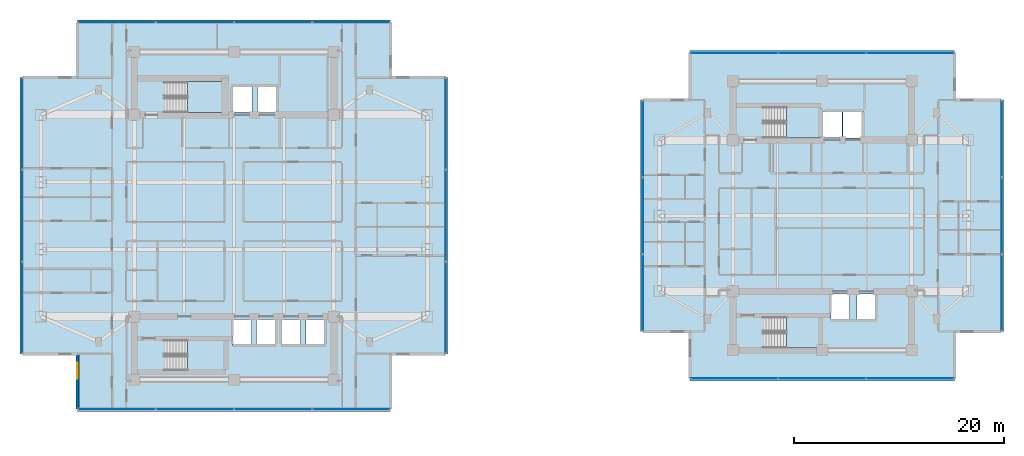
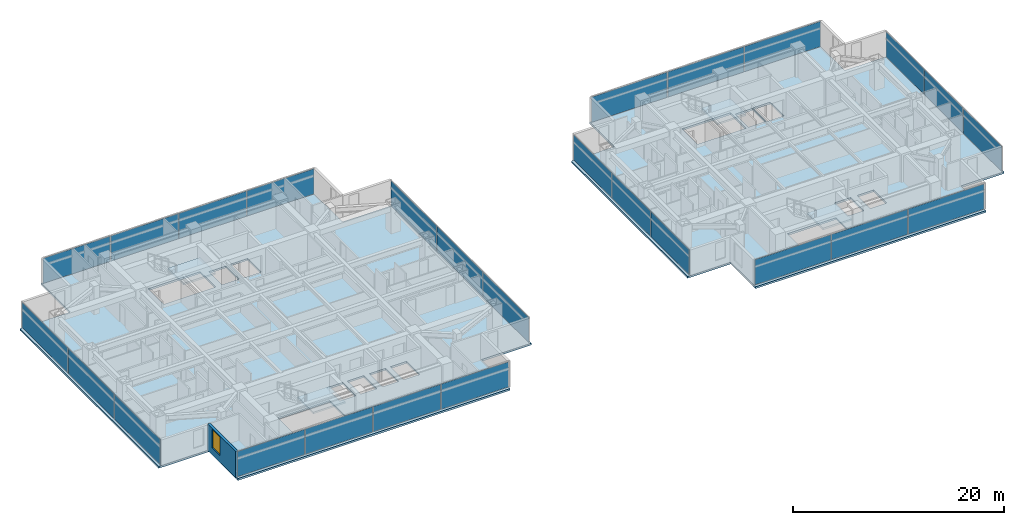
# One storey, part 13 of 26: 26 plates, 6 slabs, 1 wall, 1 window, 1 opening, 12 elements without a shape of their own.
"""IFC4 building model written with IfcOpenShell, lengths in metres."""

from ifc_helpers import new_model, si_unit, direction, frame, frame_2d, origin, origin_2d, place, context, subcontext, project, spatial, polyline, rectangle, outline, extrude, material, layer, layer_set, type_object, element, fill, aggregate, save


model = new_model("IFC4")

# Units and contexts
model_context = context("Model", 3, precision=1e-05, world=origin(), true_north=direction((0.0, 1.0)))
body_context = subcontext(model_context, "Body", "Model", "MODEL_VIEW")
ifc_project = project(units=[si_unit("LENGTHUNIT", "METRE"), si_unit("AREAUNIT", "SQUARE_METRE"), si_unit("VOLUMEUNIT", "CUBIC_METRE"), si_unit("PLANEANGLEUNIT", "RADIAN"), si_unit("MASSUNIT", "GRAM", prefix="KILO")], contexts=[model_context])

# Site, building, storey
site_placement = place(None, origin())
site = spatial("IfcSite", under=ifc_project, at=site_placement, CompositionType="ELEMENT")
building_placement = place(site_placement, origin())
building = spatial("IfcBuilding", under=site, at=building_placement, Name="Mirazonda Arch Towers", CompositionType="ELEMENT")
storey_placement = place(building_placement, frame((0.0, 0.0, 121.39990234375)))
storey = spatial("IfcBuildingStorey", under=building, at=storey_placement, Name="L34", CompositionType="ELEMENT", Elevation=121.39990234375)

# Curtain wall, plates
ifc_material_1 = material(Name="Anodised Aluminium and Low-E Glass", Category="aluminium")
curtain_wall_type = type_object("IfcCurtainWallType", Name="CW-HTL-UNIT", PredefinedType="NOTDEFINED", material=ifc_material_1)
curtain_wall_1_placement = place(storey_placement, origin())
curtain_wall_1 = element("IfcCurtainWall", 1, at=curtain_wall_1_placement, inside=storey, type_object=curtain_wall_type, Name="L34 T1 S Facade CW-L34-T1-S", PredefinedType="NOTDEFINED")
ifc_material_2 = material(Name="Insulated Low-E Solar Glass", Category="glass")
ifc_layer_1 = layer(ifc_material_2, 0.035888671875, Name="PAN-CW-HTL-UNIT")
ifc_layer_set_1 = layer_set([ifc_layer_1], Name="Insulated Low-E Solar Glass")
plate_type = type_object("IfcPlateType", Name="PAN-CW-HTL-UNIT", PredefinedType="CURTAIN_PANEL", material=ifc_layer_set_1)
plate_1_placement = place(storey_placement, frame((31.648681640625, 9.58203125, 0.0751953125), z_axis=(0.0, 0.0, 1.0), x_axis=(-1.0, 0.0, 0.0)))
plate_1 = element("IfcPlate", 2, at=plate_1_placement, type_object=plate_type, Name="CW-112 panel 1.1", PredefinedType="CURTAIN_PANEL", context=body_context, shape_type="SweptSolid", body=[
    extrude(rectangle(XDim=7.33251953125, YDim=0.035888671875, at=origin_2d()), origin(), (0.0, 0.0, 1.0), 2.909912109375),
])
plate_2_placement = place(storey_placement, frame((24.222412109375, 9.58203125, 0.0751953125), z_axis=(0.0, 0.0, 1.0), x_axis=(-1.0, 0.0, 0.0)))
plate_2 = element("IfcPlate", 3, at=plate_2_placement, type_object=plate_type, Name="CW-112 panel 2.1", PredefinedType="CURTAIN_PANEL", context=body_context, shape_type="SweptSolid", body=[
    extrude(rectangle(XDim=7.3701171875, YDim=0.035888671875, at=origin_2d()), origin(), (0.0, 0.0, 1.0), 2.909912109375),
])
plate_3_placement = place(storey_placement, frame((16.777587890625, 9.58203125, 0.0751953125), z_axis=(0.0, 0.0, 1.0), x_axis=(-1.0, 0.0, 0.0)))
plate_3 = element("IfcPlate", 4, at=plate_3_placement, type_object=plate_type, Name="CW-112 panel 3.1", PredefinedType="CURTAIN_PANEL", context=body_context, shape_type="SweptSolid", body=[
    extrude(rectangle(XDim=7.3701171875, YDim=0.035888671875, at=origin_2d()), origin(), (0.0, 0.0, 1.0), 2.909912109375),
])
plate_4_placement = place(storey_placement, frame((9.351318359375, 9.58203125, 0.0751953125), z_axis=(0.0, 0.0, 1.0), x_axis=(-1.0, 0.0, 0.0)))
plate_4 = element("IfcPlate", 5, at=plate_4_placement, type_object=plate_type, Name="CW-112 panel 4.1", PredefinedType="CURTAIN_PANEL", context=body_context, shape_type="SweptSolid", body=[
    extrude(rectangle(XDim=7.33251953125, YDim=0.035888671875, at=origin_2d()), origin(), (0.0, 0.0, 1.0), 2.909912109375),
])
aggregate(curtain_wall_1, [plate_1, plate_2, plate_3, plate_4])

curtain_wall_2_placement = place(storey_placement, origin())
curtain_wall_2 = element("IfcCurtainWall", 6, at=curtain_wall_2_placement, inside=storey, type_object=curtain_wall_type, Name="L34 T1 E Facade CW-L34-T1-E", PredefinedType="NOTDEFINED")
plate_5_placement = place(storey_placement, frame((40.659912109375, 19.25341796875, 0.0751953125), z_axis=(0.0, 0.0, 1.0), x_axis=(0.0, 1.0, 0.0)))
plate_5 = element("IfcPlate", 7, at=plate_5_placement, type_object=plate_type, Name="CW-112 panel 1.1", PredefinedType="CURTAIN_PANEL", context=body_context, shape_type="SweptSolid", body=[
    extrude(rectangle(XDim=8.65283203125, YDim=0.035888671875, at=origin_2d()), origin(), (0.0, 0.0, 1.0), 2.909912109375),
])
plate_6_placement = place(storey_placement, frame((40.659912109375, 28.0, 0.0751953125), z_axis=(0.0, 0.0, 1.0), x_axis=(0.0, 1.0, 0.0)))
plate_6 = element("IfcPlate", 8, at=plate_6_placement, type_object=plate_type, Name="CW-112 panel 2.1", PredefinedType="CURTAIN_PANEL", context=body_context, shape_type="SweptSolid", body=[
    extrude(rectangle(XDim=8.6904296875, YDim=0.035888671875, at=origin_2d()), origin(), (0.0, 0.0, 1.0), 2.909912109375),
])
plate_7_placement = place(storey_placement, frame((40.659912109375, 36.74658203125, 0.0751953125), z_axis=(0.0, 0.0, 1.0), x_axis=(0.0, 1.0, 0.0)))
plate_7 = element("IfcPlate", 9, at=plate_7_placement, type_object=plate_type, Name="CW-112 panel 3.1", PredefinedType="CURTAIN_PANEL", context=body_context, shape_type="SweptSolid", body=[
    extrude(rectangle(XDim=8.65283203125, YDim=0.035888671875, at=origin_2d()), origin(), (0.0, 0.0, 1.0), 2.909912109375),
])
aggregate(curtain_wall_2, [plate_5, plate_6, plate_7])

curtain_wall_3_placement = place(storey_placement, origin())
curtain_wall_3 = element("IfcCurtainWall", 10, at=curtain_wall_3_placement, inside=storey, type_object=curtain_wall_type, Name="L34 T1 N Facade CW-L34-T1-N", PredefinedType="NOTDEFINED")
plate_8_placement = place(storey_placement, frame((9.351318359375, 46.41796875, 0.0751953125), z_axis=(0.0, 0.0, 1.0), x_axis=(1.0, 0.0, 0.0)))
plate_8 = element("IfcPlate", 11, at=plate_8_placement, type_object=plate_type, Name="CW-112 panel 1.1", PredefinedType="CURTAIN_PANEL", context=body_context, shape_type="SweptSolid", body=[
    extrude(rectangle(XDim=7.33251953125, YDim=0.035888671875, at=origin_2d()), origin(), (0.0, 0.0, 1.0), 2.909912109375),
])
plate_9_placement = place(storey_placement, frame((16.777587890625, 46.41796875, 0.0751953125), z_axis=(0.0, 0.0, 1.0), x_axis=(1.0, 0.0, 0.0)))
plate_9 = element("IfcPlate", 12, at=plate_9_placement, type_object=plate_type, Name="CW-112 panel 2.1", PredefinedType="CURTAIN_PANEL", context=body_context, shape_type="SweptSolid", body=[
    extrude(rectangle(XDim=7.3701171875, YDim=0.035888671875, at=origin_2d()), origin(), (0.0, 0.0, 1.0), 2.909912109375),
])
plate_10_placement = place(storey_placement, frame((24.222412109375, 46.41796875, 0.0751953125), z_axis=(0.0, 0.0, 1.0), x_axis=(1.0, 0.0, 0.0)))
plate_10 = element("IfcPlate", 13, at=plate_10_placement, type_object=plate_type, Name="CW-112 panel 3.1", PredefinedType="CURTAIN_PANEL", context=body_context, shape_type="SweptSolid", body=[
    extrude(rectangle(XDim=7.3701171875, YDim=0.035888671875, at=origin_2d()), origin(), (0.0, 0.0, 1.0), 2.909912109375),
])
plate_11_placement = place(storey_placement, frame((31.648681640625, 46.41796875, 0.0751953125), z_axis=(0.0, 0.0, 1.0), x_axis=(1.0, 0.0, 0.0)))
plate_11 = element("IfcPlate", 14, at=plate_11_placement, type_object=plate_type, Name="CW-112 panel 4.1", PredefinedType="CURTAIN_PANEL", context=body_context, shape_type="SweptSolid", body=[
    extrude(rectangle(XDim=7.33251953125, YDim=0.035888671875, at=origin_2d()), origin(), (0.0, 0.0, 1.0), 2.909912109375),
])
aggregate(curtain_wall_3, [plate_8, plate_9, plate_10, plate_11])

curtain_wall_4_placement = place(storey_placement, origin())
curtain_wall_4 = element("IfcCurtainWall", 15, at=curtain_wall_4_placement, inside=storey, type_object=curtain_wall_type, Name="L34 T1 W Facade CW-L34-T1-W", PredefinedType="NOTDEFINED")
plate_12_placement = place(storey_placement, frame((0.340087890625, 36.74658203125, 0.0751953125), z_axis=(0.0, 0.0, 1.0), x_axis=(0.0, -1.0, 0.0)))
plate_12 = element("IfcPlate", 16, at=plate_12_placement, type_object=plate_type, Name="CW-112 panel 1.1", PredefinedType="CURTAIN_PANEL", context=body_context, shape_type="SweptSolid", body=[
    extrude(rectangle(XDim=8.65283203125, YDim=0.035888671875, at=origin_2d()), origin(), (0.0, 0.0, 1.0), 2.909912109375),
])
plate_13_placement = place(storey_placement, frame((0.340087890625, 28.0, 0.0751953125), z_axis=(0.0, 0.0, 1.0), x_axis=(0.0, -1.0, 0.0)))
plate_13 = element("IfcPlate", 17, at=plate_13_placement, type_object=plate_type, Name="CW-112 panel 2.1", PredefinedType="CURTAIN_PANEL", context=body_context, shape_type="SweptSolid", body=[
    extrude(rectangle(XDim=8.6904296875, YDim=0.035888671875, at=origin_2d()), origin(), (0.0, 0.0, 1.0), 2.909912109375),
])
plate_14_placement = place(storey_placement, frame((0.340087890625, 19.25341796875, 0.0751953125), z_axis=(0.0, 0.0, 1.0), x_axis=(0.0, -1.0, 0.0)))
plate_14 = element("IfcPlate", 18, at=plate_14_placement, type_object=plate_type, Name="CW-112 panel 3.1", PredefinedType="CURTAIN_PANEL", context=body_context, shape_type="SweptSolid", body=[
    extrude(rectangle(XDim=8.65283203125, YDim=0.035888671875, at=origin_2d()), origin(), (0.0, 0.0, 1.0), 2.909912109375),
])
aggregate(curtain_wall_4, [plate_12, plate_13, plate_14])

curtain_wall_5_placement = place(storey_placement, origin())
curtain_wall_5 = element("IfcCurtainWall", 19, at=curtain_wall_5_placement, inside=storey, type_object=curtain_wall_type, Name="L34 T2 S Facade CW-L34-T2-S", PredefinedType="NOTDEFINED")
plate_15_placement = place(storey_placement, frame((84.87890625, 12.497802734375, 0.0751953125), z_axis=(0.0, 0.0, 1.0), x_axis=(-1.0, 0.0, 0.0)))
plate_15 = element("IfcPlate", 20, at=plate_15_placement, type_object=plate_type, Name="CW-112 panel 1.1", PredefinedType="CURTAIN_PANEL", context=body_context, shape_type="SweptSolid", body=[
    extrude(rectangle(XDim=8.28515625, YDim=0.035888671875, at=origin_2d()), origin(), (0.0, 0.0, 1.0), 2.909912109375),
])
plate_16_placement = place(storey_placement, frame((76.5, 12.497802734375, 0.0751953125), z_axis=(0.0, 0.0, 1.0), x_axis=(-1.0, 0.0, 0.0)))
plate_16 = element("IfcPlate", 21, at=plate_16_placement, type_object=plate_type, Name="CW-112 panel 2.1", PredefinedType="CURTAIN_PANEL", context=body_context, shape_type="SweptSolid", body=[
    extrude(rectangle(XDim=8.32275390625, YDim=0.035888671875, at=origin_2d()), origin(), (0.0, 0.0, 1.0), 2.909912109375),
])
plate_17_placement = place(storey_placement, frame((68.12109375, 12.497802734375, 0.0751953125), z_axis=(0.0, 0.0, 1.0), x_axis=(-1.0, 0.0, 0.0)))
plate_17 = element("IfcPlate", 22, at=plate_17_placement, type_object=plate_type, Name="CW-112 panel 3.1", PredefinedType="CURTAIN_PANEL", context=body_context, shape_type="SweptSolid", body=[
    extrude(rectangle(XDim=8.28515625, YDim=0.035888671875, at=origin_2d()), origin(), (0.0, 0.0, 1.0), 2.909912109375),
])
aggregate(curtain_wall_5, [plate_15, plate_16, plate_17])

curtain_wall_6_placement = place(storey_placement, origin())
curtain_wall_6 = element("IfcCurtainWall", 23, at=curtain_wall_6_placement, inside=storey, type_object=curtain_wall_type, Name="L34 T2 E Facade CW-L34-T2-E", PredefinedType="NOTDEFINED")
plate_18_placement = place(storey_placement, frame((93.5830078125, 20.6748046875, 0.0751953125), z_axis=(0.0, 0.0, 1.0), x_axis=(0.0, 1.0, 0.0)))
plate_18 = element("IfcPlate", 24, at=plate_18_placement, type_object=plate_type, Name="CW-112 panel 1.1", PredefinedType="CURTAIN_PANEL", context=body_context, shape_type="SweptSolid", body=[
    extrude(rectangle(XDim=7.2314453125, YDim=0.035888671875, at=origin_2d()), origin(), (0.0, 0.0, 1.0), 2.909912109375),
])
plate_19_placement = place(storey_placement, frame((93.5830078125, 28.0, 0.0751953125), z_axis=(0.0, 0.0, 1.0), x_axis=(0.0, 1.0, 0.0)))
plate_19 = element("IfcPlate", 25, at=plate_19_placement, type_object=plate_type, Name="CW-112 panel 2.1", PredefinedType="CURTAIN_PANEL", context=body_context, shape_type="SweptSolid", body=[
    extrude(rectangle(XDim=7.268798828125, YDim=0.035888671875, at=origin_2d()), origin(), (0.0, 0.0, 1.0), 2.909912109375),
])
plate_20_placement = place(storey_placement, frame((93.5830078125, 35.3251953125, 0.0751953125), z_axis=(0.0, 0.0, 1.0), x_axis=(0.0, 1.0, 0.0)))
plate_20 = element("IfcPlate", 26, at=plate_20_placement, type_object=plate_type, Name="CW-112 panel 3.1", PredefinedType="CURTAIN_PANEL", context=body_context, shape_type="SweptSolid", body=[
    extrude(rectangle(XDim=7.2314453125, YDim=0.035888671875, at=origin_2d()), origin(), (0.0, 0.0, 1.0), 2.909912109375),
])
aggregate(curtain_wall_6, [plate_18, plate_19, plate_20])

curtain_wall_7_placement = place(storey_placement, origin())
curtain_wall_7 = element("IfcCurtainWall", 27, at=curtain_wall_7_placement, inside=storey, type_object=curtain_wall_type, Name="L34 T2 N Facade CW-L34-T2-N", PredefinedType="NOTDEFINED")
plate_21_placement = place(storey_placement, frame((68.12109375, 43.502197265625, 0.0751953125), z_axis=(0.0, 0.0, 1.0), x_axis=(1.0, 0.0, 0.0)))
plate_21 = element("IfcPlate", 28, at=plate_21_placement, type_object=plate_type, Name="CW-112 panel 1.1", PredefinedType="CURTAIN_PANEL", context=body_context, shape_type="SweptSolid", body=[
    extrude(rectangle(XDim=8.28515625, YDim=0.035888671875, at=origin_2d()), origin(), (0.0, 0.0, 1.0), 2.909912109375),
])
plate_22_placement = place(storey_placement, frame((76.5, 43.502197265625, 0.0751953125), z_axis=(0.0, 0.0, 1.0), x_axis=(1.0, 0.0, 0.0)))
plate_22 = element("IfcPlate", 29, at=plate_22_placement, type_object=plate_type, Name="CW-112 panel 2.1", PredefinedType="CURTAIN_PANEL", context=body_context, shape_type="SweptSolid", body=[
    extrude(rectangle(XDim=8.32275390625, YDim=0.035888671875, at=origin_2d()), origin(), (0.0, 0.0, 1.0), 2.909912109375),
])
plate_23_placement = place(storey_placement, frame((84.87890625, 43.502197265625, 0.0751953125), z_axis=(0.0, 0.0, 1.0), x_axis=(1.0, 0.0, 0.0)))
plate_23 = element("IfcPlate", 30, at=plate_23_placement, type_object=plate_type, Name="CW-112 panel 3.1", PredefinedType="CURTAIN_PANEL", context=body_context, shape_type="SweptSolid", body=[
    extrude(rectangle(XDim=8.28515625, YDim=0.035888671875, at=origin_2d()), origin(), (0.0, 0.0, 1.0), 2.909912109375),
])
aggregate(curtain_wall_7, [plate_21, plate_22, plate_23])

curtain_wall_8_placement = place(storey_placement, origin())
curtain_wall_8 = element("IfcCurtainWall", 31, at=curtain_wall_8_placement, inside=storey, type_object=curtain_wall_type, Name="L34 T2 W Facade CW-L34-T2-W", PredefinedType="NOTDEFINED")
plate_24_placement = place(storey_placement, frame((59.4169921875, 35.3251953125, 0.0751953125), z_axis=(0.0, 0.0, 1.0), x_axis=(0.0, -1.0, 0.0)))
plate_24 = element("IfcPlate", 32, at=plate_24_placement, type_object=plate_type, Name="CW-112 panel 1.1", PredefinedType="CURTAIN_PANEL", context=body_context, shape_type="SweptSolid", body=[
    extrude(rectangle(XDim=7.2314453125, YDim=0.035888671875, at=origin_2d()), origin(), (0.0, 0.0, 1.0), 2.909912109375),
])
plate_25_placement = place(storey_placement, frame((59.4169921875, 28.0, 0.0751953125), z_axis=(0.0, 0.0, 1.0), x_axis=(0.0, -1.0, 0.0)))
plate_25 = element("IfcPlate", 33, at=plate_25_placement, type_object=plate_type, Name="CW-112 panel 2.1", PredefinedType="CURTAIN_PANEL", context=body_context, shape_type="SweptSolid", body=[
    extrude(rectangle(XDim=7.268798828125, YDim=0.035888671875, at=origin_2d()), origin(), (0.0, 0.0, 1.0), 2.909912109375),
])
plate_26_placement = place(storey_placement, frame((59.4169921875, 20.6748046875, 0.0751953125), z_axis=(0.0, 0.0, 1.0), x_axis=(0.0, -1.0, 0.0)))
plate_26 = element("IfcPlate", 34, at=plate_26_placement, type_object=plate_type, Name="CW-112 panel 3.1", PredefinedType="CURTAIN_PANEL", context=body_context, shape_type="SweptSolid", body=[
    extrude(rectangle(XDim=7.2314453125, YDim=0.035888671875, at=origin_2d()), origin(), (0.0, 0.0, 1.0), 2.909912109375),
])
aggregate(curtain_wall_8, [plate_24, plate_25, plate_26])

# Stair, slab
ifc_material_3 = material(Name="Concrete C40/50", Category="concrete")
stair_type = type_object("IfcStairType", Name="STAIR-CORE-1400", PredefinedType="HALF_TURN_STAIR", material=ifc_material_3)
stair_1_placement = place(storey_placement, origin())
stair_1 = element("IfcStair", 35, at=stair_1_placement, inside=storey, type_object=stair_type, Name="L34 Protected Exit Stair ST-T1N", PredefinedType="HALF_TURN_STAIR")
ifc_layer_2 = layer(ifc_material_3, 0.18994140625, Name="SLAB-LANDING-190")
ifc_layer_set_2 = layer_set([ifc_layer_2], Name="Concrete C40/50")
slab_type_1 = type_object("IfcSlabType", Name="SLAB-LANDING-190", PredefinedType="LANDING", material=ifc_layer_set_2)
slab_1_placement = place(storey_placement, frame((0.0, 0.0, 1.4501953125)))
slab_1 = element("IfcSlab", 36, at=slab_1_placement, type_object=slab_type_1, Name="ST-T1N landing 1", PredefinedType="LANDING", context=body_context, shape_type="SweptSolid", body=[
    extrude(outline(polyline([(16.090087890625, 37.820068359375), (19.60009765625, 37.820068359375), (19.60009765625, 40.760009765625), (16.090087890625, 40.760009765625), (16.090087890625, 37.820068359375)])), origin(), (0.0, 0.0, 1.0), 0.199951171875),
])
aggregate(stair_1, [slab_1])

stair_2_placement = place(storey_placement, origin())
stair_2 = element("IfcStair", 37, at=stair_2_placement, inside=storey, type_object=stair_type, Name="L34 Protected Exit Stair ST-T1S", PredefinedType="HALF_TURN_STAIR")
slab_2_placement = place(storey_placement, frame((0.0, 0.0, 1.4501953125)))
slab_2 = element("IfcSlab", 38, at=slab_2_placement, type_object=slab_type_1, Name="ST-T1S landing 1", PredefinedType="LANDING", context=body_context, shape_type="SweptSolid", body=[
    extrude(outline(polyline([(16.090087890625, 13.25), (19.60009765625, 13.25), (19.60009765625, 16.18994140625), (16.090087890625, 16.18994140625), (16.090087890625, 13.25)])), origin(), (0.0, 0.0, 1.0), 0.199951171875),
])
aggregate(stair_2, [slab_2])

stair_3_placement = place(storey_placement, origin())
stair_3 = element("IfcStair", 39, at=stair_3_placement, inside=storey, type_object=stair_type, Name="L34 Protected Exit Stair ST-T2N", PredefinedType="HALF_TURN_STAIR")
slab_3_placement = place(storey_placement, frame((0.0, 0.0, 1.4501953125)))
slab_3 = element("IfcSlab", 40, at=slab_3_placement, type_object=slab_type_1, Name="ST-T2N landing 1", PredefinedType="LANDING", context=body_context, shape_type="SweptSolid", body=[
    extrude(outline(polyline([(73.090087890625, 35.419921875), (76.22998046875, 35.419921875), (76.22998046875, 38.360107421875), (73.090087890625, 38.360107421875), (73.090087890625, 35.419921875)])), origin(), (0.0, 0.0, 1.0), 0.199951171875),
])
aggregate(stair_3, [slab_3])

stair_4_placement = place(storey_placement, origin())
stair_4 = element("IfcStair", 41, at=stair_4_placement, inside=storey, type_object=stair_type, Name="L34 Protected Exit Stair ST-T2S", PredefinedType="HALF_TURN_STAIR")
slab_4_placement = place(storey_placement, frame((0.0, 0.0, 1.4501953125)))
slab_4 = element("IfcSlab", 42, at=slab_4_placement, type_object=slab_type_1, Name="ST-T2S landing 1", PredefinedType="LANDING", context=body_context, shape_type="SweptSolid", body=[
    extrude(outline(polyline([(73.090087890625, 15.419921875), (76.22998046875, 15.419921875), (76.22998046875, 18.360107421875), (73.090087890625, 18.360107421875), (73.090087890625, 15.419921875)])), origin(), (0.0, 0.0, 1.0), 0.199951171875),
])
aggregate(stair_4, [slab_4])

# Slabs
ifc_layer_3 = layer(ifc_material_3, 0.219970703125, Name="SLAB-TWR-220")
ifc_layer_set_3 = layer_set([ifc_layer_3], Name="Concrete C40/50")
slab_type_2 = type_object("IfcSlabType", Name="SLAB-TWR-220", PredefinedType="FLOOR", material=ifc_layer_set_3)
slab_5_placement = place(storey_placement, frame((0.0, 0.0, -0.219970703125)))
element("IfcSlab", 43, at=slab_5_placement, inside=storey, type_object=slab_type_2, Name="L34 Tower 1 Floor Slab", PredefinedType="FLOOR", context=body_context, shape_type="SweptSolid", body=[
    extrude(outline(polyline([(5.610107421875, 9.362060546875), (35.389892578125, 9.362060546875), (35.389892578125, 14.85205078125), (40.8798828125, 14.85205078125), (40.8798828125, 41.14794921875), (35.389892578125, 41.14794921875), (35.389892578125, 46.637939453125), (5.610107421875, 46.637939453125), (5.610107421875, 41.14794921875), (0.1201171875, 41.14794921875), (0.1201171875, 14.85205078125), (5.610107421875, 14.85205078125), (5.610107421875, 9.362060546875)]), holes=[polyline([(27.360107421875, 18.139892578125), (29.139892578125, 18.139892578125), (29.139892578125, 15.659912109375), (27.360107421875, 15.659912109375), (27.360107421875, 18.139892578125)]), polyline([(25.06005859375, 18.139892578125), (26.840087890625, 18.139892578125), (26.840087890625, 15.659912109375), (25.06005859375, 15.659912109375), (25.06005859375, 18.139892578125)]), polyline([(22.7099609375, 40.389892578125), (24.590087890625, 40.389892578125), (24.590087890625, 37.81005859375), (22.7099609375, 37.81005859375), (22.7099609375, 40.389892578125)]), polyline([(22.659912109375, 18.139892578125), (24.43994140625, 18.139892578125), (24.43994140625, 15.659912109375), (22.659912109375, 15.659912109375), (22.659912109375, 18.139892578125)]), polyline([(20.31005859375, 40.340087890625), (22.18994140625, 40.340087890625), (22.18994140625, 37.860107421875), (20.31005859375, 37.860107421875), (20.31005859375, 40.340087890625)]), polyline([(20.360107421875, 18.139892578125), (22.139892578125, 18.139892578125), (22.139892578125, 15.659912109375), (20.360107421875, 15.659912109375), (20.360107421875, 18.139892578125)]), polyline([(13.925048828125, 13.25), (13.925048828125, 16.18994140625), (19.60009765625, 16.18994140625), (19.60009765625, 13.25), (13.925048828125, 13.25)]), polyline([(13.925048828125, 37.820068359375), (13.925048828125, 40.760009765625), (19.60009765625, 40.760009765625), (19.60009765625, 37.820068359375), (13.925048828125, 37.820068359375)])]), origin(), (0.0, 0.0, 1.0), 0.219970703125),
])
slab_6_placement = place(storey_placement, frame((0.0, 0.0, -0.219970703125)))
element("IfcSlab", 44, at=slab_6_placement, inside=storey, type_object=slab_type_2, Name="L34 Tower 2 Floor Slab", PredefinedType="FLOOR", context=body_context, shape_type="SweptSolid", body=[
    extrude(outline(polyline([(63.903564453125, 12.277587890625), (89.096435546875, 12.277587890625), (89.096435546875, 16.984130859375), (93.802978515625, 16.984130859375), (93.802978515625, 39.015869140625), (89.096435546875, 39.015869140625), (89.096435546875, 43.722412109375), (63.903564453125, 43.722412109375), (63.903564453125, 39.015869140625), (59.197021484375, 39.015869140625), (59.197021484375, 16.984130859375), (63.903564453125, 16.984130859375), (63.903564453125, 12.277587890625)]), holes=[polyline([(79.81005859375, 20.5400390625), (81.590087890625, 20.5400390625), (81.590087890625, 18.06005859375), (79.81005859375, 18.06005859375), (79.81005859375, 20.5400390625)]), polyline([(78.47998046875, 37.989990234375), (80.360107421875, 37.989990234375), (80.360107421875, 35.409912109375), (78.47998046875, 35.409912109375), (78.47998046875, 37.989990234375)]), polyline([(77.31005859375, 20.5400390625), (79.090087890625, 20.5400390625), (79.090087890625, 18.06005859375), (77.31005859375, 18.06005859375), (77.31005859375, 20.5400390625)]), polyline([(76.510009765625, 35.4599609375), (76.510009765625, 37.93994140625), (78.389892578125, 37.93994140625), (78.389892578125, 35.4599609375), (76.510009765625, 35.4599609375)]), polyline([(76.22998046875, 15.419921875), (70.925048828125, 15.419921875), (70.925048828125, 18.360107421875), (76.22998046875, 18.360107421875), (76.22998046875, 15.419921875)]), polyline([(70.925048828125, 35.419921875), (70.925048828125, 38.360107421875), (76.22998046875, 38.360107421875), (76.22998046875, 35.419921875), (70.925048828125, 35.419921875)])]), origin(), (0.0, 0.0, 1.0), 0.219970703125),
])

# Wall, opening, window
ifc_material_4 = material(Name="Precast Concrete C40/50", Category="concrete")
ifc_layer_4 = layer(ifc_material_4, 0.280029296875, Name="WALL-EXT-WALL-280")
ifc_layer_set_4 = layer_set([ifc_layer_4], Name="Precast Concrete C40/50")
wall_type = type_object("IfcWallType", Name="WALL-EXT-WALL-280", PredefinedType="SOLIDWALL", material=ifc_layer_set_4)
wall_placement = place(storey_placement, frame((5.610107421875, 14.85205078125, 0.0), z_axis=(0.0, 0.0, 1.0), x_axis=(0.0, -1.0, 0.0)))
wall = element("IfcWall", 45, at=wall_placement, inside=storey, type_object=wall_type, Name="L34 T1 Notched SW Corner Wall WL-L34-T1-CSW", PredefinedType="SOLIDWALL", context=body_context, shape_type="SweptSolid", body=[
    extrude(rectangle(XDim=5.27001953125, YDim=0.280029296875, at=frame_2d((2.635009765625, 0.0))), origin(), (0.0, 0.0, 1.0), 3.06005859375),
])
opening_placement = place(wall_placement, frame((0.85009765625, 0.0, 0.81005859375)))
opening = element("IfcOpeningElement", 46, at=opening_placement, cuts=wall, Name="Opening WN-120", PredefinedType="OPENING", context=body_context, shape_type="SweptSolid", body=[
    extrude(rectangle(XDim=1.5, YDim=2.10009765625, at=frame_2d((0.75, 1.050048828125))), frame((0.0, 0.14990234375, 0.0), z_axis=(0.0, -1.0, 0.0), x_axis=(1.0, 0.0, 0.0)), (0.0, 0.0, 1.0), 0.300048828125),
])
window_type = type_object("IfcWindowType", Name="WIN-HTL-1500x2100", PartitioningType="SINGLE_PANEL", PredefinedType="WINDOW", material=ifc_material_2)
window_placement = place(opening_placement, origin())
window = element("IfcWindow", 47, at=window_placement, inside=storey, type_object=window_type, Name="L34 Punched Facade Window WN-L34-T1-CSW", OverallHeight=2.10009765625, OverallWidth=1.5, PartitioningType="SINGLE_PANEL", PredefinedType="WINDOW", context=body_context, shape_type="SweptSolid", body=[
    extrude(rectangle(XDim=1.5, YDim=2.10009765625, at=frame_2d((0.75, 1.050048828125))), frame((0.0, 0.030029296875, 0.0), z_axis=(0.0, -1.0, 0.0), x_axis=(1.0, 0.0, 0.0)), (0.0, 0.0, 1.0), 0.06005859375),
])
fill(opening, window)

save(model, "model.ifc")
